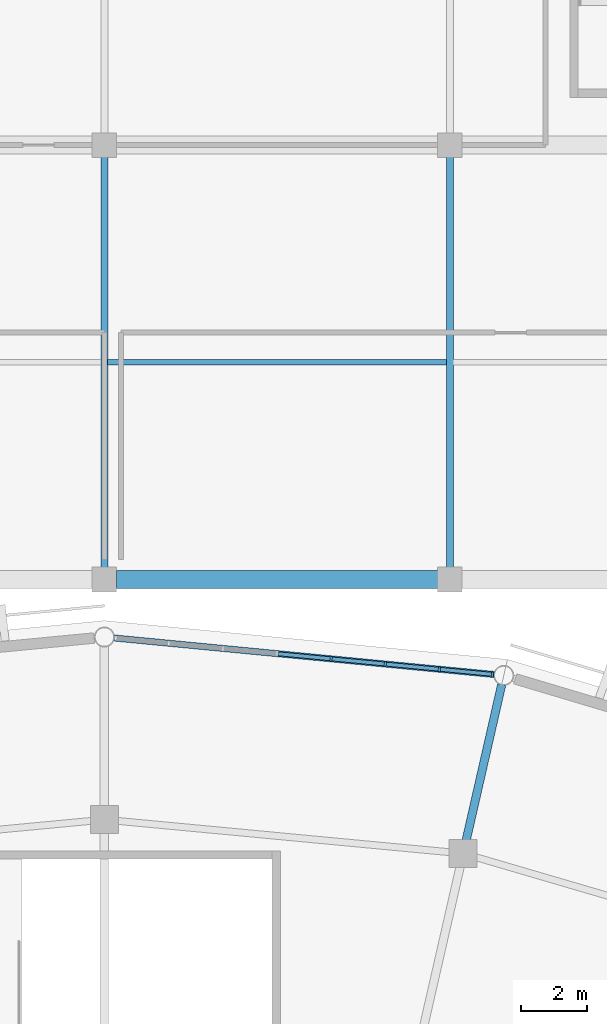
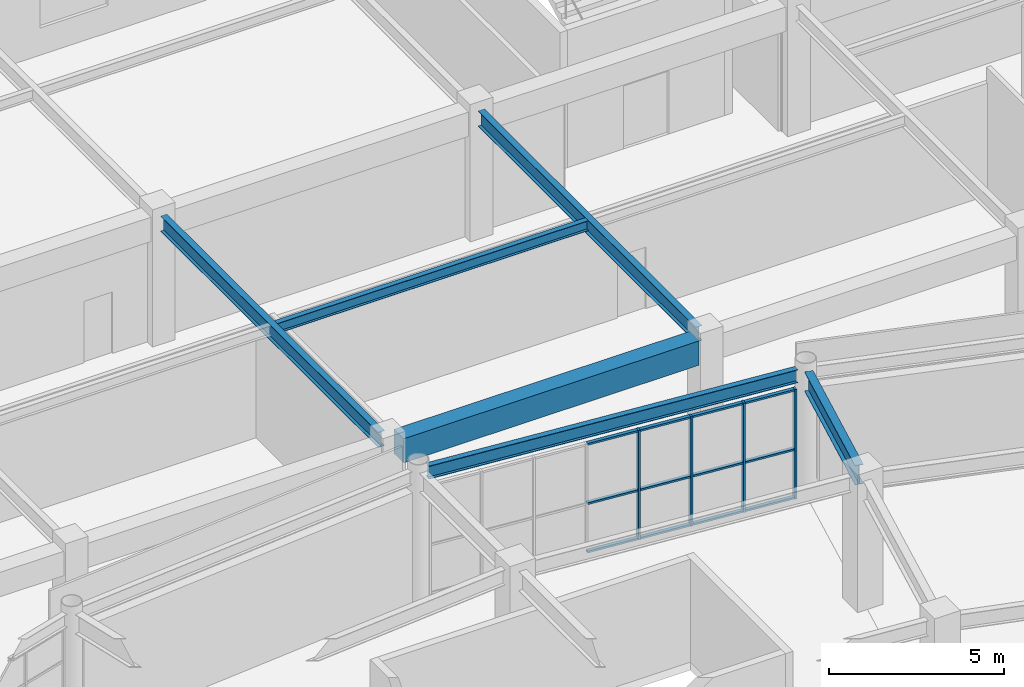
# One storey, part 47 of 112: 16 members, 6 beams, 1 element without a shape of its own.
"""IFC4 building model written with IfcOpenShell, lengths in metres."""

from ifc_helpers import new_model, si_unit, direction, frame, origin, origin_2d, place, context, subcontext, project, spatial, rectangle, i_section, extrude, material, material_profile, profile_set, type_object, element, aggregate, save


model = new_model("IFC4")

# Units and contexts
model_context = context("Model", 3, precision=1e-05, world=origin(), true_north=direction((0.0, 1.0)))
body_context = subcontext(model_context, "Body", "Model", "MODEL_VIEW")
ifc_project = project(units=[si_unit("LENGTHUNIT", "METRE"), si_unit("AREAUNIT", "SQUARE_METRE"), si_unit("VOLUMEUNIT", "CUBIC_METRE"), si_unit("PLANEANGLEUNIT", "RADIAN"), si_unit("MASSUNIT", "GRAM", prefix="KILO")], contexts=[model_context])

# Site, building, storey
site_placement = place(None, origin())
site = spatial("IfcSite", under=ifc_project, at=site_placement, CompositionType="ELEMENT")
building_placement = place(site_placement, origin())
building = spatial("IfcBuilding", under=site, at=building_placement, Name="Cuetzalor Civic Arena", CompositionType="ELEMENT")
storey_placement = place(building_placement, frame((0.0, 0.0, 11.39990234375)))
storey = spatial("IfcBuildingStorey", under=building, at=storey_placement, Name="L02", CompositionType="ELEMENT", Elevation=11.39990234375)

# Beam
ifc_material_1 = material(Name="Concrete C40/50", Category="concrete")
ifc_material_profile_1 = material_profile(ifc_material_1, rectangle(XDim=0.550048828125, YDim=0.85009765625, at=origin_2d()), Name="RC 550x850")
ifc_profile_set_1 = profile_set([ifc_material_profile_1], Name="Concrete C40/50")
beam_type_1 = type_object("IfcBeamType", Name="ConcreteFrameBeam_550x850", PredefinedType="BEAM", material=ifc_profile_set_1)
beam_1_placement = place(storey_placement, frame((0.364990234375, 48.300048828125, 4.05517578125), z_axis=(1.0, 0.0, 0.0), x_axis=(0.0, 1.0, 0.0)))
element("IfcBeam", 1, at=beam_1_placement, inside=storey, type_object=beam_type_1, Name="Frame Girder V5-L02-X0791", PredefinedType="BEAM", context=body_context, shape_type="SweptSolid", body=[
    extrude(rectangle(XDim=0.550048828125, YDim=0.85009765625, at=origin_2d()), origin(), (0.0, 0.0, 1.0), 9.77001953125),
])

# Curtain wall, members
ifc_material_2 = material(Name="Anodised dark bronze aluminium and low-E solar glass", Category="aluminium")
curtain_wall_type = type_object("IfcCurtainWallType", Name="UnitisedCW_11550x3850", PredefinedType="USERDEFINED", material=ifc_material_2)
curtain_wall_placement = place(storey_placement, origin())
curtain_wall = element("IfcCurtainWall", 2, at=curtain_wall_placement, inside=storey, type_object=curtain_wall_type, Name="Drum Triangle Foyer Curtain Wall L02-035", ObjectType="UNITISED CURTAIN WALL", PredefinedType="USERDEFINED")
ifc_material_3 = material(Name="Anodised dark bronze aluminium", Category="aluminium")
ifc_material_profile_2 = material_profile(ifc_material_3, rectangle(XDim=0.06494140625, YDim=0.14990234375, at=origin_2d()), Name="ALU MULLION 65x150")
ifc_profile_set_2 = profile_set([ifc_material_profile_2], Name="Anodised dark bronze aluminium")
member_type_1 = type_object("IfcMemberType", Name="CurtainWallMullion_60x150", PredefinedType="MULLION", material=ifc_profile_set_2)
member_1_placement = place(storey_placement, frame((6.8916015625, 45.887451171875, 0.0), z_axis=(0.0, 0.0, 1.0), x_axis=(0.995409139996, -0.095711253324, 0.0)))
member_1 = element("IfcMember", 3, at=member_1_placement, type_object=member_type_1, Name="CW-14 mullion 5", PredefinedType="MULLION", context=body_context, shape_type="SweptSolid", body=[
    extrude(rectangle(XDim=0.06494140625, YDim=0.14990234375, at=origin_2d()), origin(), (0.0, 0.0, 1.0), 3.83203125),
])
member_2_placement = place(storey_placement, frame((8.5361328125, 45.729248046875, 0.0), z_axis=(0.0, 0.0, 1.0), x_axis=(0.995409139996, -0.095711253324, 0.0)))
member_2 = element("IfcMember", 4, at=member_2_placement, type_object=member_type_1, Name="CW-14 mullion 6", PredefinedType="MULLION", context=body_context, shape_type="SweptSolid", body=[
    extrude(rectangle(XDim=0.06494140625, YDim=0.14990234375, at=origin_2d()), origin(), (0.0, 0.0, 1.0), 3.83203125),
])
member_3_placement = place(storey_placement, frame((10.1806640625, 45.571044921875, 0.0), z_axis=(0.0, 0.0, 1.0), x_axis=(0.995409139996, -0.095711253324, 0.0)))
member_3 = element("IfcMember", 5, at=member_3_placement, type_object=member_type_1, Name="CW-14 mullion 7", PredefinedType="MULLION", context=body_context, shape_type="SweptSolid", body=[
    extrude(rectangle(XDim=0.06494140625, YDim=0.14990234375, at=origin_2d()), origin(), (0.0, 0.0, 1.0), 3.83203125),
])
member_4_placement = place(storey_placement, frame((11.79296875, 45.416015625, 0.0), z_axis=(0.0, 0.0, 1.0), x_axis=(0.995409139996, -0.095711253324, 0.0)))
member_4 = element("IfcMember", 6, at=member_4_placement, type_object=member_type_1, Name="CW-14 mullion 8", PredefinedType="MULLION", context=body_context, shape_type="SweptSolid", body=[
    extrude(rectangle(XDim=0.06494140625, YDim=0.14990234375, at=origin_2d()), origin(), (0.0, 0.0, 1.0), 3.83203125),
])
ifc_material_4 = material(Name="Anodised dark bronze aluminium", Category="aluminium")
ifc_material_profile_3 = material_profile(ifc_material_4, rectangle(XDim=0.1201171875, YDim=0.06494140625, at=origin_2d()), Name="ALU TRANSOM 65x120")
ifc_profile_set_3 = profile_set([ifc_material_profile_3], Name="Anodised dark bronze aluminium")
member_type_2 = type_object("IfcMemberType", Name="CurtainWallTransom_60x120", PredefinedType="USERDEFINED", material=ifc_profile_set_3)
member_5_placement = place(storey_placement, frame((5.279296875, 46.04248046875, 0.03271484375), z_axis=(0.9953974667, -0.095832579471, 0.0), x_axis=(0.095832579471, 0.9953974667, 0.0)))
member_5 = element("IfcMember", 7, at=member_5_placement, type_object=member_type_2, Name="CW-14 transom 4.1", ObjectType="TRANSOM", PredefinedType="USERDEFINED", context=body_context, shape_type="SweptSolid", body=[
    extrude(rectangle(XDim=0.1201171875, YDim=0.06494140625, at=origin_2d()), origin(), (0.0, 0.0, 1.0), 1.587158203125),
])
member_6_placement = place(storey_placement, frame((5.279296875, 46.04248046875, 1.72412109375), z_axis=(0.9953974667, -0.095832579471, 0.0), x_axis=(0.095832579471, 0.9953974667, 0.0)))
member_6 = element("IfcMember", 8, at=member_6_placement, type_object=member_type_2, Name="CW-14 transom 4.2", ObjectType="TRANSOM", PredefinedType="USERDEFINED", context=body_context, shape_type="SweptSolid", body=[
    extrude(rectangle(XDim=0.1201171875, YDim=0.06494140625, at=origin_2d()), origin(), (0.0, 0.0, 1.0), 1.587158203125),
])
member_7_placement = place(storey_placement, frame((5.279296875, 46.04248046875, 3.799560546875), z_axis=(0.9953974667, -0.095832579471, 0.0), x_axis=(0.095832579471, 0.9953974667, 0.0)))
member_7 = element("IfcMember", 9, at=member_7_placement, type_object=member_type_2, Name="CW-14 transom 4.3", ObjectType="TRANSOM", PredefinedType="USERDEFINED", context=body_context, shape_type="SweptSolid", body=[
    extrude(rectangle(XDim=0.1201171875, YDim=0.06494140625, at=origin_2d()), origin(), (0.0, 0.0, 1.0), 1.587158203125),
])
member_8_placement = place(storey_placement, frame((6.923828125, 45.88427734375, 0.03271484375), z_axis=(0.995412128785, -0.095680164442, 0.0), x_axis=(0.095680164442, 0.995412128785, 0.0)))
member_8 = element("IfcMember", 10, at=member_8_placement, type_object=member_type_2, Name="CW-14 transom 5.1", ObjectType="TRANSOM", PredefinedType="USERDEFINED", context=body_context, shape_type="SweptSolid", body=[
    extrude(rectangle(XDim=0.1201171875, YDim=0.06494140625, at=origin_2d()), origin(), (0.0, 0.0, 1.0), 1.587158203125),
])
member_9_placement = place(storey_placement, frame((6.923828125, 45.88427734375, 1.72412109375), z_axis=(0.995412128785, -0.095680164442, 0.0), x_axis=(0.095680164442, 0.995412128785, 0.0)))
member_9 = element("IfcMember", 11, at=member_9_placement, type_object=member_type_2, Name="CW-14 transom 5.2", ObjectType="TRANSOM", PredefinedType="USERDEFINED", context=body_context, shape_type="SweptSolid", body=[
    extrude(rectangle(XDim=0.1201171875, YDim=0.06494140625, at=origin_2d()), origin(), (0.0, 0.0, 1.0), 1.587158203125),
])
member_10_placement = place(storey_placement, frame((6.923828125, 45.88427734375, 3.799560546875), z_axis=(0.995412128785, -0.095680164442, 0.0), x_axis=(0.095680164442, 0.995412128785, 0.0)))
member_10 = element("IfcMember", 12, at=member_10_placement, type_object=member_type_2, Name="CW-14 transom 5.3", ObjectType="TRANSOM", PredefinedType="USERDEFINED", context=body_context, shape_type="SweptSolid", body=[
    extrude(rectangle(XDim=0.1201171875, YDim=0.06494140625, at=origin_2d()), origin(), (0.0, 0.0, 1.0), 1.587158203125),
])
member_11_placement = place(storey_placement, frame((8.568359375, 45.72607421875, 0.03271484375), z_axis=(0.995412128785, -0.095680164442, 0.0), x_axis=(0.095680164442, 0.995412128785, 0.0)))
member_11 = element("IfcMember", 13, at=member_11_placement, type_object=member_type_2, Name="CW-14 transom 6.1", ObjectType="TRANSOM", PredefinedType="USERDEFINED", context=body_context, shape_type="SweptSolid", body=[
    extrude(rectangle(XDim=0.1201171875, YDim=0.06494140625, at=origin_2d()), origin(), (0.0, 0.0, 1.0), 1.587158203125),
])
member_12_placement = place(storey_placement, frame((8.568359375, 45.72607421875, 1.72412109375), z_axis=(0.995412128785, -0.095680164442, 0.0), x_axis=(0.095680164442, 0.995412128785, 0.0)))
member_12 = element("IfcMember", 14, at=member_12_placement, type_object=member_type_2, Name="CW-14 transom 6.2", ObjectType="TRANSOM", PredefinedType="USERDEFINED", context=body_context, shape_type="SweptSolid", body=[
    extrude(rectangle(XDim=0.1201171875, YDim=0.06494140625, at=origin_2d()), origin(), (0.0, 0.0, 1.0), 1.587158203125),
])
member_13_placement = place(storey_placement, frame((8.568359375, 45.72607421875, 3.799560546875), z_axis=(0.995412128785, -0.095680164442, 0.0), x_axis=(0.095680164442, 0.995412128785, 0.0)))
member_13 = element("IfcMember", 15, at=member_13_placement, type_object=member_type_2, Name="CW-14 transom 6.3", ObjectType="TRANSOM", PredefinedType="USERDEFINED", context=body_context, shape_type="SweptSolid", body=[
    extrude(rectangle(XDim=0.1201171875, YDim=0.06494140625, at=origin_2d()), origin(), (0.0, 0.0, 1.0), 1.587158203125),
])
member_14_placement = place(storey_placement, frame((10.212890625, 45.568115234375, 0.03271484375), z_axis=(0.995401833719, -0.095787209113, 0.0), x_axis=(0.095787209113, 0.995401833719, 0.0)))
member_14 = element("IfcMember", 16, at=member_14_placement, type_object=member_type_2, Name="CW-14 transom 7.1", ObjectType="TRANSOM", PredefinedType="USERDEFINED", context=body_context, shape_type="SweptSolid", body=[
    extrude(rectangle(XDim=0.1201171875, YDim=0.06494140625, at=origin_2d()), origin(), (0.0, 0.0, 1.0), 1.5546875),
])
member_15_placement = place(storey_placement, frame((10.212890625, 45.568115234375, 1.72412109375), z_axis=(0.995401833719, -0.095787209113, 0.0), x_axis=(0.095787209113, 0.995401833719, 0.0)))
member_15 = element("IfcMember", 17, at=member_15_placement, type_object=member_type_2, Name="CW-14 transom 7.2", ObjectType="TRANSOM", PredefinedType="USERDEFINED", context=body_context, shape_type="SweptSolid", body=[
    extrude(rectangle(XDim=0.1201171875, YDim=0.06494140625, at=origin_2d()), origin(), (0.0, 0.0, 1.0), 1.5546875),
])
member_16_placement = place(storey_placement, frame((10.212890625, 45.568115234375, 3.799560546875), z_axis=(0.995401833719, -0.095787209113, 0.0), x_axis=(0.095787209113, 0.995401833719, 0.0)))
member_16 = element("IfcMember", 18, at=member_16_placement, type_object=member_type_2, Name="CW-14 transom 7.3", ObjectType="TRANSOM", PredefinedType="USERDEFINED", context=body_context, shape_type="SweptSolid", body=[
    extrude(rectangle(XDim=0.1201171875, YDim=0.06494140625, at=origin_2d()), origin(), (0.0, 0.0, 1.0), 1.5546875),
])
aggregate(curtain_wall, [member_1, member_2, member_3, member_4, member_5, member_6, member_7, member_8, member_9, member_10, member_11, member_12, member_13, member_14, member_15, member_16])

# Beams
ifc_material_5 = material(Name="Steel S355", Category="steel")
ifc_material_profile_4 = material_profile(ifc_material_5, i_section(OverallWidth=0.18994140625, OverallDepth=0.45703125, WebThickness=0.009033203125, FlangeThickness=0.014404296875, at=origin_2d()), Name="W460x74")
ifc_profile_set_4 = profile_set([ifc_material_profile_4], Name="Steel S355")
beam_type_2 = type_object("IfcBeamType", Name="FacadeSpandrelBeam_W460", PredefinedType="SPANDREL", material=ifc_profile_set_4)
beam_2_placement = place(storey_placement, frame((11.849853515625, 45.41064453125, 4.29150390625), z_axis=(-0.995409568272, 0.095706799095, 0.0), x_axis=(-0.095706799095, -0.995409568272, 0.0)))
element("IfcBeam", 19, at=beam_2_placement, inside=storey, type_object=beam_type_2, Name="Drum Perimeter Spandrel L02-S07", PredefinedType="SPANDREL", context=body_context, shape_type="SweptSolid", body=[
    extrude(i_section(OverallWidth=0.18994140625, OverallDepth=0.45703125, WebThickness=0.009033203125, FlangeThickness=0.014404296875, at=origin_2d()), origin(), (0.0, 0.0, 1.0), 11.6142578125),
])
ifc_material_6 = material(Name="Steel S355", Category="steel")
ifc_material_profile_5 = material_profile(ifc_material_6, i_section(OverallWidth=0.1708984375, OverallDepth=0.35498046875, WebThickness=0.007080078125, FlangeThickness=0.01171875, at=origin_2d()), Name="W360x51")
ifc_profile_set_5 = profile_set([ifc_material_profile_5], Name="Steel S355")
beam_type_3 = type_object("IfcBeamType", Name="SecondaryFloorJoist_W360", PredefinedType="JOIST", material=ifc_profile_set_5)
beam_3_placement = place(storey_placement, frame((0.096435546875, 54.89990234375, 4.302490234375), z_axis=(1.0, 0.0, 0.0), x_axis=(0.0, 1.0, 0.0)))
element("IfcBeam", 20, at=beam_3_placement, inside=storey, type_object=beam_type_3, Name="Secondary Floor Joist V5-L02-0251", PredefinedType="JOIST", context=body_context, shape_type="SweptSolid", body=[
    extrude(i_section(OverallWidth=0.1708984375, OverallDepth=0.35498046875, WebThickness=0.007080078125, FlangeThickness=0.01171875, at=origin_2d()), origin(), (0.0, 0.0, 1.0), 10.30712890625),
])
ifc_material_7 = material(Name="Steel S355", Category="steel")
ifc_material_profile_6 = material_profile(ifc_material_7, i_section(OverallWidth=0.208984375, OverallDepth=0.532958984375, WebThickness=0.01025390625, FlangeThickness=0.015625, at=origin_2d()), Name="W530x92")
ifc_profile_set_6 = profile_set([ifc_material_profile_6], Name="Steel S355")
beam_type_4 = type_object("IfcBeamType", Name="SteelCollarGirder_W530", PredefinedType="BEAM", material=ifc_profile_set_6)
for number, where, z_axis, x_axis, name in (
    (21, (0.0, 48.6650390625, 4.213623046875), (0.0, 1.0, 0.0), (-1.0, 0.0, 0.0), "Frame Girder V5-L02-Y0834"),
    (22, (10.5, 48.6650390625, 4.213623046875), (0.0, 1.0, 0.0), (-1.0, 0.0, 0.0), "Frame Girder V5-L02-Y0836"),
):
    element("IfcBeam", number, at=place(storey_placement, frame(where, z_axis=z_axis, x_axis=x_axis)), inside=storey, type_object=beam_type_4, Name=name, PredefinedType="BEAM", context=body_context, shape_type="SweptSolid", body=[
        extrude(i_section(OverallWidth=0.208984375, OverallDepth=0.532958984375, WebThickness=0.01025390625, FlangeThickness=0.015625, at=origin_2d()), origin(), (0.0, 0.0, 1.0), 12.469970703125),
    ])
ifc_material_8 = material(Name="Steel S355", Category="steel")
ifc_material_profile_7 = material_profile(ifc_material_8, i_section(OverallWidth=0.2529296875, OverallDepth=0.677978515625, WebThickness=0.01171875, FlangeThickness=0.016357421875, at=origin_2d()), Name="W690x125")
ifc_profile_set_7 = profile_set([ifc_material_profile_7], Name="Steel S355")
beam_type_5 = type_object("IfcBeamType", Name="SteelPrimaryGirder_W690", PredefinedType="BEAM", material=ifc_profile_set_7)
beam_4_placement = place(storey_placement, frame((10.983642578125, 40.322998046875, 4.18115234375), z_axis=(0.222519036633, 0.974928345231, 0.0), x_axis=(-0.974928345231, 0.222519036633, 0.0)))
element("IfcBeam", 23, at=beam_4_placement, inside=storey, type_object=beam_type_5, Name="Drum Radial Girder L02-R07", PredefinedType="BEAM", context=body_context, shape_type="SweptSolid", body=[
    extrude(i_section(OverallWidth=0.2529296875, OverallDepth=0.677978515625, WebThickness=0.01171875, FlangeThickness=0.016357421875, at=origin_2d()), origin(), (0.0, 0.0, 1.0), 4.89990234375),
])

save(model, "model.ifc")
